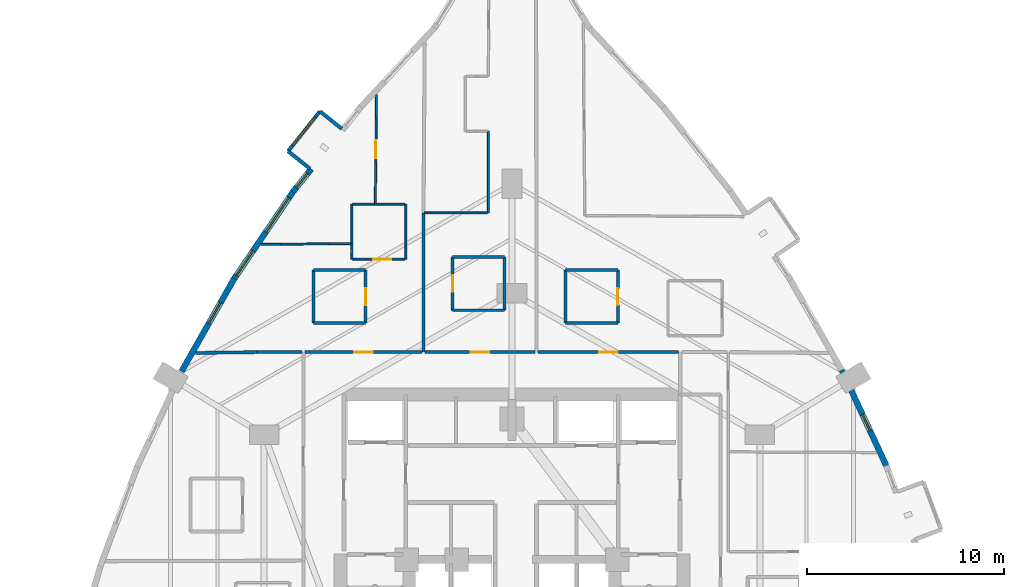
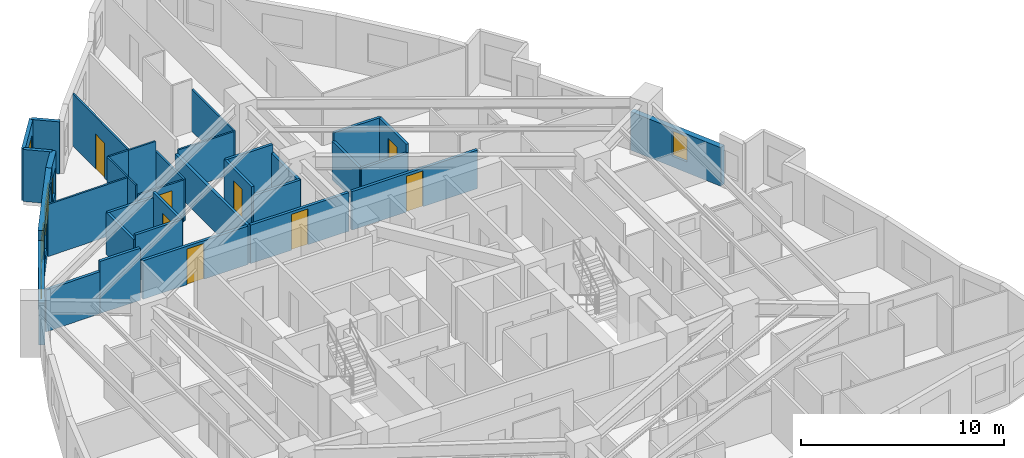
# One storey, part 12 of 15: 35 walls, 8 doors, 6 windows, 14 openings.
"""IFC4 building model written with IfcOpenShell, lengths in metres."""

from ifc_helpers import new_model, si_unit, direction, frame, frame_2d, origin, place, context, subcontext, project, spatial, rectangle, extrude, material, layer, layer_set, type_object, element, fill, save


model = new_model("IFC4")

# Units and contexts
model_context = context("Model", 3, precision=1e-05, world=origin(), true_north=direction((0.0, 1.0)))
body_context = subcontext(model_context, "Body", "Model", "MODEL_VIEW")
ifc_project = project(units=[si_unit("LENGTHUNIT", "METRE"), si_unit("AREAUNIT", "SQUARE_METRE"), si_unit("VOLUMEUNIT", "CUBIC_METRE"), si_unit("PLANEANGLEUNIT", "RADIAN"), si_unit("MASSUNIT", "GRAM", prefix="KILO")], contexts=[model_context])

# Site, building, storey
site_placement = place(None, origin())
site = spatial("IfcSite", under=ifc_project, at=site_placement, CompositionType="ELEMENT")
building_placement = place(site_placement, origin())
building = spatial("IfcBuilding", under=site, at=building_placement, Name="Miruveldt Soraemaru", CompositionType="ELEMENT")
storey_placement = place(building_placement, frame((0.0, 0.0, 39.39990234375)))
storey = spatial("IfcBuildingStorey", under=building, at=storey_placement, Name="L10", CompositionType="ELEMENT", Elevation=39.39990234375)

# Walls
ifc_material_1 = material(Name="White powder-coated aluminium EN AW-6060 T6", Category="aluminium")
ifc_layer_1 = layer(ifc_material_1, 0.18994140625, Name="White powder-coated aluminium EN AW-6060 T6", Category="aluminium")
ifc_layer_set_1 = layer_set([ifc_layer_1], Name="White powder-coated aluminium EN AW-6060 T6")
wall_type_1 = type_object("IfcWallType", Name="WALL-BAY-ALU190", PredefinedType="SOLIDWALL", material=ifc_layer_set_1)
for number, where, z_axis, x_axis, name in (
    (1, (35.350341796875, 65.957275390625, 0.0), (0.0, 0.0, 1.0), (-0.781737193764, 0.623608017817, 0.0), "L10 Bay Window Side Cheek 6L"),
    (2, (32.614990234375, 64.8134765625, 0.0), (0.0, 0.0, 1.0), (0.781737193764, -0.623608017817, 0.0), "L10 Bay Window Side Cheek 6R"),
):
    element("IfcWall", number, at=place(storey_placement, frame(where, z_axis=z_axis, x_axis=x_axis)), inside=storey, type_object=wall_type_1, Name=name, PredefinedType="SOLIDWALL", context=body_context, shape_type="SweptSolid", body=[
        extrude(rectangle(XDim=1.425048828125, YDim=0.18994140625, at=frame_2d((0.71240234375, 0.0))), origin(), (0.0, 0.0, 1.0), 3.125),
    ])

# Wall, opening, window
wall_1_placement = place(storey_placement, frame((34.236328125, 66.845947265625, 0.0), z_axis=(0.0, 0.0, 1.0), x_axis=(-0.623606546405, -0.781738367538, 0.0)))
wall_1 = element("IfcWall", 3, at=wall_1_placement, inside=storey, type_object=wall_type_1, Name="L10 Bay Window Front Frame 6", PredefinedType="SOLIDWALL", context=body_context, shape_type="SweptSolid", body=[
    extrude(rectangle(XDim=2.599853515625, YDim=0.18994140625, at=frame_2d((1.2998046875, 0.0))), origin(), (0.0, 0.0, 1.0), 3.125),
])
opening_1_placement = place(wall_1_placement, frame((0.35009765625, 0.0, 0.550048828125)))
opening_1 = element("IfcOpeningElement", 4, at=opening_1_placement, cuts=wall_1, Name="Opening WN-6", PredefinedType="OPENING", context=body_context, shape_type="SweptSolid", body=[
    extrude(rectangle(XDim=1.89990234375, YDim=1.85009765625, at=frame_2d((0.949951171875, 0.925048828125))), frame((0.0, 0.10498046875, 0.0), z_axis=(0.0, -1.0, 0.0), x_axis=(1.0, 0.0, 0.0)), (0.0, 0.0, 1.0), 0.2099609375),
])
ifc_material_2 = material(Name="Triple low-e insulated glazing", Category="glass")
window_type_1 = type_object("IfcWindowType", Name="WIN-BAYW-1900x1850", PartitioningType="SINGLE_PANEL", PredefinedType="WINDOW", material=ifc_material_2)
window_1_placement = place(opening_1_placement, origin())
window_1 = element("IfcWindow", 5, at=window_1_placement, inside=storey, type_object=window_type_1, Name="L10 Projecting Bay Window 6", OverallHeight=1.85009765625, OverallWidth=1.89990234375, PartitioningType="SINGLE_PANEL", PredefinedType="WINDOW", context=body_context, shape_type="SweptSolid", body=[
    extrude(rectangle(XDim=1.89990234375, YDim=1.85009765625, at=frame_2d((0.949951171875, 0.925048828125))), frame((0.0, 0.030029296875, 0.0), z_axis=(0.0, -1.0, 0.0), x_axis=(1.0, 0.0, 0.0)), (0.0, 0.0, 1.0), 0.06005859375),
])
fill(opening_1, window_1)

ifc_material_3 = material(Name="Precast concrete C45/55 (45 MPa)", Category="concrete")
ifc_layer_2 = layer(ifc_material_3, 0.300048828125, Name="Precast concrete C45/55 (45 MPa)", Category="concrete")
ifc_layer_set_2 = layer_set([ifc_layer_2], Name="Precast concrete C45/55 (45 MPa)")
wall_type_2 = type_object("IfcWallType", Name="WALL-EXT-PC300", PredefinedType="SOLIDWALL", material=ifc_layer_set_2)
wall_2_placement = place(storey_placement, frame((33.79052734375, 63.9140625, 0.0), z_axis=(0.0, 0.0, 1.0), x_axis=(-0.623458304624, -0.781856599637, 0.0)))
wall_2 = element("IfcWall", 6, at=wall_2_placement, inside=storey, type_object=wall_type_2, Name="L10 Precast Pier Wall 8B", PredefinedType="SOLIDWALL", context=body_context, shape_type="SweptSolid", body=[
    extrude(rectangle(XDim=1.493408203125, YDim=0.300048828125, at=frame_2d((0.74658203125, 0.0))), origin(), (0.0, 0.0, 1.0), 3.125),
])
opening_2_placement = place(wall_2_placement, frame((0.297119140625, 0.0, 0.780029296875)))
opening_2 = element("IfcOpeningElement", 7, at=opening_2_placement, cuts=wall_2, Name="Opening WN-7", PredefinedType="OPENING", context=body_context, shape_type="SweptSolid", body=[
    extrude(rectangle(XDim=0.89990234375, YDim=1.5, at=frame_2d((0.449951171875, 0.75))), frame((0.0, 0.16015625, 0.0), z_axis=(0.0, -1.0, 0.0), x_axis=(1.0, 0.0, 0.0)), (0.0, 0.0, 1.0), 0.320068359375),
])
window_type_2 = type_object("IfcWindowType", Name="WIN-PUNCH-900x1500", PartitioningType="SINGLE_PANEL", PredefinedType="WINDOW", material=ifc_material_2)
window_2_placement = place(opening_2_placement, origin())
window_2 = element("IfcWindow", 8, at=window_2_placement, inside=storey, type_object=window_type_2, Name="L10 Punched Triple-Glazed Window 08B.1", OverallHeight=1.5, OverallWidth=0.89990234375, PartitioningType="SINGLE_PANEL", PredefinedType="WINDOW", context=body_context, shape_type="SweptSolid", body=[
    extrude(rectangle(XDim=0.89990234375, YDim=1.5, at=frame_2d((0.449951171875, 0.75))), frame((0.0, 0.030029296875, 0.0), z_axis=(0.0, -1.0, 0.0), x_axis=(1.0, 0.0, 0.0)), (0.0, 0.0, 1.0), 0.06005859375),
])
fill(opening_2, window_2)

# Wall, openings, windows
wall_3_placement = place(storey_placement, frame((32.900634765625, 62.802734375, 0.0), z_axis=(0.0, 0.0, 1.0), x_axis=(-0.560794747374, -0.827954860676, 0.0)))
wall_3 = element("IfcWall", 9, at=wall_3_placement, inside=storey, type_object=wall_type_2, Name="L10 Precast Concrete Facade Wall 9", PredefinedType="SOLIDWALL", context=body_context, shape_type="SweptSolid", body=[
    extrude(rectangle(XDim=5.459228515625, YDim=0.300048828125, at=frame_2d((2.7294921875, 0.0))), origin(), (0.0, 0.0, 1.0), 3.125),
])
opening_3_placement = place(wall_3_placement, frame((0.4208984375, 0.0, 0.800048828125)))
opening_3 = element("IfcOpeningElement", 10, at=opening_3_placement, cuts=wall_3, Name="Opening WN-1", PredefinedType="OPENING", context=body_context, shape_type="SweptSolid", body=[
    extrude(rectangle(XDim=2.10009765625, YDim=1.699951171875, at=frame_2d((1.050048828125, 0.85009765625))), frame((0.0, 0.16015625, 0.0), z_axis=(0.0, -1.0, 0.0), x_axis=(1.0, 0.0, 0.0)), (0.0, 0.0, 1.0), 0.320068359375),
])
opening_4_placement = place(wall_3_placement, frame((3.69091796875, 0.0, 0.800048828125)))
opening_4 = element("IfcOpeningElement", 11, at=opening_4_placement, cuts=wall_3, Name="Opening WN-3", PredefinedType="OPENING", context=body_context, shape_type="SweptSolid", body=[
    extrude(rectangle(XDim=1.5, YDim=1.60009765625, at=frame_2d((0.75, 0.800048828125))), frame((0.0, 0.16015625, 0.0), z_axis=(0.0, -1.0, 0.0), x_axis=(1.0, 0.0, 0.0)), (0.0, 0.0, 1.0), 0.320068359375),
])
window_type_3 = type_object("IfcWindowType", Name="WIN-PUNCH-1500x1600", PartitioningType="SINGLE_PANEL", PredefinedType="WINDOW", material=ifc_material_2)
window_3_placement = place(opening_4_placement, origin())
window_3 = element("IfcWindow", 12, at=window_3_placement, inside=storey, type_object=window_type_3, Name="L10 Punched Triple-Glazed Window 09.2", OverallHeight=1.60009765625, OverallWidth=1.5, PartitioningType="SINGLE_PANEL", PredefinedType="WINDOW", context=body_context, shape_type="SweptSolid", body=[
    extrude(rectangle(XDim=1.5, YDim=1.60009765625, at=frame_2d((0.75, 0.800048828125))), frame((0.0, 0.030029296875, 0.0), z_axis=(0.0, -1.0, 0.0), x_axis=(1.0, 0.0, 0.0)), (0.0, 0.0, 1.0), 0.06005859375),
])
fill(opening_4, window_3)
window_type_4 = type_object("IfcWindowType", Name="WIN-PUNCH-2100x1700", PartitioningType="SINGLE_PANEL", PredefinedType="WINDOW", material=ifc_material_2)
window_4_placement = place(opening_3_placement, origin())
window_4 = element("IfcWindow", 13, at=window_4_placement, inside=storey, type_object=window_type_4, Name="L10 Punched Triple-Glazed Window 09.1", OverallHeight=1.699951171875, OverallWidth=2.10009765625, PartitioningType="SINGLE_PANEL", PredefinedType="WINDOW", context=body_context, shape_type="SweptSolid", body=[
    extrude(rectangle(XDim=2.10009765625, YDim=1.699951171875, at=frame_2d((1.050048828125, 0.85009765625))), frame((0.0, 0.030029296875, 0.0), z_axis=(0.0, -1.0, 0.0), x_axis=(1.0, 0.0, 0.0)), (0.0, 0.0, 1.0), 0.06005859375),
])
fill(opening_3, window_4)

# Wall, opening, window
wall_4_placement = place(storey_placement, frame((29.8759765625, 58.34228515625, 0.0), z_axis=(0.0, 0.0, 1.0), x_axis=(-0.493383808339, -0.869811713918, 0.0)))
wall_4 = element("IfcWall", 14, at=wall_4_placement, inside=storey, type_object=wall_type_2, Name="L10 Precast Concrete Facade Wall 10", PredefinedType="SOLIDWALL", context=body_context, shape_type="SweptSolid", body=[
    extrude(rectangle(XDim=5.42529296875, YDim=0.300048828125, at=frame_2d((2.712646484375, 0.0))), origin(), (0.0, 0.0, 1.0), 2.51318359375),
])
opening_5_placement = place(wall_4_placement, frame((1.407958984375, 0.0, 0.780029296875)))
opening_5 = element("IfcOpeningElement", 15, at=opening_5_placement, cuts=wall_4, Name="Opening WN-4", PredefinedType="OPENING", context=body_context, shape_type="SweptSolid", body=[
    extrude(rectangle(XDim=1.199951171875, YDim=1.550048828125, at=frame_2d((0.60009765625, 0.77490234375))), frame((0.0, 0.16015625, 0.0), z_axis=(0.0, -1.0, 0.0), x_axis=(1.0, 0.0, 0.0)), (0.0, 0.0, 1.0), 0.320068359375),
])
window_type_5 = type_object("IfcWindowType", Name="WIN-PUNCH-1200x1550", PartitioningType="SINGLE_PANEL", PredefinedType="WINDOW", material=ifc_material_2)
window_5_placement = place(opening_5_placement, origin())
window_5 = element("IfcWindow", 16, at=window_5_placement, inside=storey, type_object=window_type_5, Name="L10 Punched Triple-Glazed Window 10.1", OverallHeight=1.550048828125, OverallWidth=1.199951171875, PartitioningType="SINGLE_PANEL", PredefinedType="WINDOW", context=body_context, shape_type="SweptSolid", body=[
    extrude(rectangle(XDim=1.199951171875, YDim=1.550048828125, at=frame_2d((0.60009765625, 0.77490234375))), frame((0.0, 0.030029296875, 0.0), z_axis=(0.0, -1.0, 0.0), x_axis=(1.0, 0.0, 0.0)), (0.0, 0.0, 1.0), 0.06005859375),
])
fill(opening_5, window_5)

wall_5_placement = place(storey_placement, frame((63.059814453125, 48.767578125, 0.0), z_axis=(0.0, 0.0, 1.0), x_axis=(-0.4222916538, 0.906460015186, 0.0)))
wall_5 = element("IfcWall", 17, at=wall_5_placement, inside=storey, type_object=wall_type_2, Name="L10 Precast Concrete Facade Wall 38", PredefinedType="SOLIDWALL", context=body_context, shape_type="SweptSolid", body=[
    extrude(rectangle(XDim=5.42529296875, YDim=0.300048828125, at=frame_2d((2.712646484375, 0.0))), origin(), (0.0, 0.0, 1.0), 2.31298828125),
])
opening_6_placement = place(wall_5_placement, frame((2.0380859375, 0.0, 0.653076171875)))
opening_6 = element("IfcOpeningElement", 18, at=opening_6_placement, cuts=wall_5, Name="Opening WN-7", PredefinedType="OPENING", context=body_context, shape_type="SweptSolid", body=[
    extrude(rectangle(XDim=0.89990234375, YDim=1.5, at=frame_2d((0.449951171875, 0.75))), frame((0.0, 0.16015625, 0.0), z_axis=(0.0, -1.0, 0.0), x_axis=(1.0, 0.0, 0.0)), (0.0, 0.0, 1.0), 0.320068359375),
])
window_6_placement = place(opening_6_placement, origin())
window_6 = element("IfcWindow", 19, at=window_6_placement, inside=storey, type_object=window_type_2, Name="L10 Punched Triple-Glazed Window 38.1", OverallHeight=1.5, OverallWidth=0.89990234375, PartitioningType="SINGLE_PANEL", PredefinedType="WINDOW", context=body_context, shape_type="SweptSolid", body=[
    extrude(rectangle(XDim=0.89990234375, YDim=1.5, at=frame_2d((0.449951171875, 0.75))), frame((0.0, 0.030029296875, 0.0), z_axis=(0.0, -1.0, 0.0), x_axis=(1.0, 0.0, 0.0)), (0.0, 0.0, 1.0), 0.06005859375),
])
fill(opening_6, window_6)

# Wall, opening, door
ifc_material_4 = material(Name="Gypsum plasterboard lining", Category="gypsum")
ifc_layer_3 = layer(ifc_material_4, 0.10009765625, Name="Gypsum plasterboard lining", Category="gypsum")
ifc_layer_set_3 = layer_set([ifc_layer_3], Name="Gypsum plasterboard lining")
wall_type_3 = type_object("IfcWallType", Name="WALL-INT-P100", PredefinedType="PARTITIONING", material=ifc_layer_set_3)
wall_6_placement = place(storey_placement, frame((37.112060546875, 67.68798828125, 0.0), z_axis=(0.0, 0.0, 1.0), x_axis=(-0.011156294154, -0.999937766614, 0.0)))
wall_6 = element("IfcWall", 20, at=wall_6_placement, inside=storey, type_object=wall_type_3, Name="L10 Partition Wall 21", PredefinedType="PARTITIONING", context=body_context, shape_type="SweptSolid", body=[
    extrude(rectangle(XDim=5.558349609375, YDim=0.10009765625, at=frame_2d((2.779296875, 0.0))), origin(), (0.0, 0.0, 1.0), 3.125),
])
opening_7_placement = place(wall_6_placement, frame((2.319091796875, 0.0, 0.0)))
opening_7 = element("IfcOpeningElement", 21, at=opening_7_placement, cuts=wall_6, Name="Opening D3A", PredefinedType="OPENING", context=body_context, shape_type="SweptSolid", body=[
    extrude(rectangle(XDim=0.919921875, YDim=2.10009765625, at=frame_2d((0.4599609375, 1.050048828125))), frame((0.0, 0.06005859375, 0.0), z_axis=(0.0, -1.0, 0.0), x_axis=(1.0, 0.0, 0.0)), (0.0, 0.0, 1.0), 0.1201171875),
])
ifc_material_5 = material(Name="Anodised aluminium EN AW-6063 T6", Category="aluminium")
door_type_1 = type_object("IfcDoorType", Name="DOOR-INT-920", OperationType="NOTDEFINED", PredefinedType="DOOR", material=ifc_material_5)
door_1_placement = place(opening_7_placement, origin())
door_1 = element("IfcDoor", 22, at=door_1_placement, inside=storey, type_object=door_type_1, Name="L10 Unit 1001 BD1 Door", OperationType="SINGLE_SWING_LEFT", OverallHeight=2.10009765625, OverallWidth=0.919921875, PredefinedType="DOOR", context=body_context, shape_type="SweptSolid", body=[
    extrude(rectangle(XDim=0.919921875, YDim=2.10009765625, at=frame_2d((0.4599609375, 1.050048828125))), frame((0.0, 0.02490234375, 0.0), z_axis=(0.0, -1.0, 0.0), x_axis=(1.0, 0.0, 0.0)), (0.0, 0.0, 1.0), 0.050048828125),
])
fill(opening_7, door_1)

wall_7_placement = place(storey_placement, frame((35.905029296875, 59.330078125, 0.0), z_axis=(0.0, 0.0, 1.0), x_axis=(1.0, 0.0, 0.0)))
wall_7 = element("IfcWall", 23, at=wall_7_placement, inside=storey, type_object=wall_type_3, Name="L10 Partition Wall 20", PredefinedType="PARTITIONING", context=body_context, shape_type="SweptSolid", body=[
    extrude(rectangle(XDim=2.64990234375, YDim=0.10009765625, at=frame_2d((1.324951171875, 0.0))), origin(), (0.0, 0.0, 1.0), 2.51318359375),
])
opening_8_placement = place(wall_7_placement, frame((1.044921875, 0.0, 0.0)))
opening_8 = element("IfcOpeningElement", 24, at=opening_8_placement, cuts=wall_7, Name="Opening D3A", PredefinedType="OPENING", context=body_context, shape_type="SweptSolid", body=[
    extrude(rectangle(XDim=0.919921875, YDim=2.10009765625, at=frame_2d((0.4599609375, 1.050048828125))), frame((0.0, 0.06005859375, 0.0), z_axis=(0.0, -1.0, 0.0), x_axis=(1.0, 0.0, 0.0)), (0.0, 0.0, 1.0), 0.1201171875),
])
door_2_placement = place(opening_8_placement, origin())
door_2 = element("IfcDoor", 25, at=door_2_placement, inside=storey, type_object=door_type_1, Name="L10 Unit 1001 KIT Door", OperationType="SINGLE_SWING_RIGHT", OverallHeight=2.10009765625, OverallWidth=0.919921875, PredefinedType="DOOR", context=body_context, shape_type="SweptSolid", body=[
    extrude(rectangle(XDim=0.919921875, YDim=2.10009765625, at=frame_2d((0.4599609375, 1.050048828125))), frame((0.0, 0.02490234375, 0.0), z_axis=(0.0, -1.0, 0.0), x_axis=(1.0, 0.0, 0.0)), (0.0, 0.0, 1.0), 0.050048828125),
])
fill(opening_8, door_2)

# Walls
wall_8_placement = place(storey_placement, frame((35.804931640625, 60.1220703125, 0.0), z_axis=(0.0, 0.0, 1.0), x_axis=(-0.999946452569, -0.010348526213, 0.0)))
element("IfcWall", 26, at=wall_8_placement, inside=storey, type_object=wall_type_3, Name="L10 Partition Wall 22", PredefinedType="PARTITIONING", context=body_context, shape_type="SweptSolid", body=[
    extrude(rectangle(XDim=4.55322265625, YDim=0.10009765625, at=frame_2d((2.276611328125, 0.0))), origin(), (0.0, 0.0, 1.0), 3.125),
])
wall_9_placement = place(storey_placement, frame((42.800048828125, 65.830078125, 0.0), z_axis=(0.0, 0.0, 1.0), x_axis=(0.0, -1.0, 0.0)))
element("IfcWall", 27, at=wall_9_placement, inside=storey, type_object=wall_type_3, Name="L10 Partition Wall 37", PredefinedType="PARTITIONING", context=body_context, shape_type="SweptSolid", body=[
    extrude(rectangle(XDim=4.14599609375, YDim=0.10009765625, at=frame_2d((2.072998046875, 0.0))), origin(), (0.0, 0.0, 1.0), 2.51318359375),
])
wall_10_placement = place(storey_placement, frame((42.75, 61.68408203125, 0.0), z_axis=(0.0, 0.0, 1.0), x_axis=(-1.0, 0.0, 0.0)))
element("IfcWall", 28, at=wall_10_placement, inside=storey, type_object=wall_type_3, Name="L10 Partition Wall 38", PredefinedType="PARTITIONING", context=body_context, shape_type="SweptSolid", body=[
    extrude(rectangle(XDim=3.199951171875, YDim=0.10009765625, at=frame_2d((1.60009765625, 0.0))), origin(), (0.0, 0.0, 1.0), 2.51318359375),
])
wall_11_placement = place(storey_placement, frame((38.60498046875, 59.330078125, 0.0), z_axis=(0.0, 0.0, 1.0), x_axis=(0.0, 1.0, 0.0)))
element("IfcWall", 29, at=wall_11_placement, inside=storey, type_object=wall_type_3, Name="L10 Partition Wall 17", PredefinedType="PARTITIONING", context=body_context, shape_type="SweptSolid", body=[
    extrude(rectangle(XDim=2.7998046875, YDim=0.10009765625, at=frame_2d((1.39990234375, 0.0))), origin(), (0.0, 0.0, 1.0), 2.51318359375),
])
wall_12_placement = place(storey_placement, frame((35.85498046875, 62.1298828125, 0.0), z_axis=(0.0, 0.0, 1.0), x_axis=(0.0, -1.0, 0.0)))
element("IfcWall", 30, at=wall_12_placement, inside=storey, type_object=wall_type_3, Name="L10 Partition Wall 28", PredefinedType="PARTITIONING", context=body_context, shape_type="SweptSolid", body=[
    extrude(rectangle(XDim=2.0068359375, YDim=0.10009765625, at=frame_2d((1.00341796875, 0.0))), origin(), (0.0, 0.0, 1.0), 3.125),
])
wall_13_placement = place(storey_placement, frame((38.554931640625, 62.1298828125, 0.0), z_axis=(0.0, 0.0, 1.0), x_axis=(-1.0, 0.0, 0.0)))
element("IfcWall", 31, at=wall_13_placement, inside=storey, type_object=wall_type_3, Name="L10 Partition Wall 18", PredefinedType="PARTITIONING", context=body_context, shape_type="SweptSolid", body=[
    extrude(rectangle(XDim=1.544921875, YDim=0.10009765625, at=frame_2d((0.7724609375, 0.0))), origin(), (0.0, 0.0, 1.0), 3.125),
])
wall_14_placement = place(storey_placement, frame((37.0, 62.1298828125, 0.0), z_axis=(0.0, 0.0, 1.0), x_axis=(-1.0, 0.0, 0.0)))
element("IfcWall", 32, at=wall_14_placement, inside=storey, type_object=wall_type_3, Name="L10 Partition Wall 27", PredefinedType="PARTITIONING", context=body_context, shape_type="SweptSolid", body=[
    extrude(rectangle(XDim=1.094970703125, YDim=0.10009765625, at=frame_2d((0.54736328125, 0.0))), origin(), (0.0, 0.0, 1.0), 3.125),
])
wall_15_placement = place(storey_placement, frame((35.85498046875, 60.123046875, 0.0), z_axis=(0.0, 0.0, 1.0), x_axis=(0.0, -1.0, 0.0)))
element("IfcWall", 33, at=wall_15_placement, inside=storey, type_object=wall_type_3, Name="L10 Partition Wall 19", PredefinedType="PARTITIONING", context=body_context, shape_type="SweptSolid", body=[
    extrude(rectangle(XDim=0.79296875, YDim=0.10009765625, at=frame_2d((0.396484375, 0.0))), origin(), (0.0, 0.0, 1.0), 3.125),
])

# Wall, opening, door
ifc_layer_4 = layer(ifc_material_4, 0.14990234375, Name="Gypsum plasterboard lining", Category="gypsum")
ifc_layer_set_4 = layer_set([ifc_layer_4], Name="Gypsum plasterboard lining")
wall_type_4 = type_object("IfcWallType", Name="WALL-INT-PLUMB", PredefinedType="PLUMBINGWALL", material=ifc_layer_set_4)
wall_16_placement = place(storey_placement, frame((36.554931640625, 56.080078125, 0.0), z_axis=(0.0, 0.0, 1.0), x_axis=(0.0, 1.0, 0.0)))
wall_16 = element("IfcWall", 34, at=wall_16_placement, inside=storey, type_object=wall_type_4, Name="L10 Partition Wall 13", PredefinedType="PLUMBINGWALL", context=body_context, shape_type="SweptSolid", body=[
    extrude(rectangle(XDim=2.699951171875, YDim=0.14990234375, at=frame_2d((1.35009765625, 0.0))), origin(), (0.0, 0.0, 1.0), 2.81298828125),
])
opening_9_placement = place(wall_16_placement, frame((0.909912109375, 0.0, 0.0)))
opening_9 = element("IfcOpeningElement", 35, at=opening_9_placement, cuts=wall_16, Name="Opening FD3", PredefinedType="OPENING", context=body_context, shape_type="SweptSolid", body=[
    extrude(rectangle(XDim=0.85009765625, YDim=2.10009765625, at=frame_2d((0.425048828125, 1.050048828125))), frame((0.0, 0.0849609375, 0.0), z_axis=(0.0, -1.0, 0.0), x_axis=(1.0, 0.0, 0.0)), (0.0, 0.0, 1.0), 0.169921875),
])
door_type_2 = type_object("IfcDoorType", Name="DOOR-FD3-850", OperationType="NOTDEFINED", PredefinedType="DOOR", material=ifc_material_5)
door_3_placement = place(opening_9_placement, origin())
door_3 = element("IfcDoor", 36, at=door_3_placement, inside=storey, type_object=door_type_2, Name="L10 Unit 1001 BTH Door", OperationType="SINGLE_SWING_LEFT", OverallHeight=2.10009765625, OverallWidth=0.85009765625, PredefinedType="DOOR", context=body_context, shape_type="SweptSolid", body=[
    extrude(rectangle(XDim=0.85009765625, YDim=2.10009765625, at=frame_2d((0.425048828125, 1.050048828125))), frame((0.0, 0.02490234375, 0.0), z_axis=(0.0, -1.0, 0.0), x_axis=(1.0, 0.0, 0.0)), (0.0, 0.0, 1.0), 0.050048828125),
])
fill(opening_9, door_3)

wall_17_placement = place(storey_placement, frame((40.97998046875, 59.429931640625, 0.0), z_axis=(0.0, 0.0, 1.0), x_axis=(0.0, -1.0, 0.0)))
wall_17 = element("IfcWall", 37, at=wall_17_placement, inside=storey, type_object=wall_type_4, Name="L10 Partition Wall 31", PredefinedType="PLUMBINGWALL", context=body_context, shape_type="SweptSolid", body=[
    extrude(rectangle(XDim=2.699951171875, YDim=0.14990234375, at=frame_2d((1.35009765625, 0.0))), origin(), (0.0, 0.0, 1.0), 2.81298828125),
])
opening_10_placement = place(wall_17_placement, frame((0.909912109375, 0.0, 0.0)))
opening_10 = element("IfcOpeningElement", 38, at=opening_10_placement, cuts=wall_17, Name="Opening FD3", PredefinedType="OPENING", context=body_context, shape_type="SweptSolid", body=[
    extrude(rectangle(XDim=0.85009765625, YDim=2.10009765625, at=frame_2d((0.425048828125, 1.050048828125))), frame((0.0, 0.0849609375, 0.0), z_axis=(0.0, -1.0, 0.0), x_axis=(1.0, 0.0, 0.0)), (0.0, 0.0, 1.0), 0.169921875),
])
door_4_placement = place(opening_10_placement, origin())
door_4 = element("IfcDoor", 39, at=door_4_placement, inside=storey, type_object=door_type_2, Name="L10 Unit 1002 BTH Door", OperationType="SINGLE_SWING_LEFT", OverallHeight=2.10009765625, OverallWidth=0.85009765625, PredefinedType="DOOR", context=body_context, shape_type="SweptSolid", body=[
    extrude(rectangle(XDim=0.85009765625, YDim=2.10009765625, at=frame_2d((0.425048828125, 1.050048828125))), frame((0.0, 0.02490234375, 0.0), z_axis=(0.0, -1.0, 0.0), x_axis=(1.0, 0.0, 0.0)), (0.0, 0.0, 1.0), 0.050048828125),
])
fill(opening_10, door_4)

wall_18_placement = place(storey_placement, frame((49.3798828125, 56.080078125, 0.0), z_axis=(0.0, 0.0, 1.0), x_axis=(0.0, 1.0, 0.0)))
wall_18 = element("IfcWall", 40, at=wall_18_placement, inside=storey, type_object=wall_type_4, Name="L10 Partition Wall 40", PredefinedType="PLUMBINGWALL", context=body_context, shape_type="SweptSolid", body=[
    extrude(rectangle(XDim=2.699951171875, YDim=0.14990234375, at=frame_2d((1.35009765625, 0.0))), origin(), (0.0, 0.0, 1.0), 2.81298828125),
])
opening_11_placement = place(wall_18_placement, frame((0.909912109375, 0.0, 0.0)))
opening_11 = element("IfcOpeningElement", 41, at=opening_11_placement, cuts=wall_18, Name="Opening FD3", PredefinedType="OPENING", context=body_context, shape_type="SweptSolid", body=[
    extrude(rectangle(XDim=0.85009765625, YDim=2.10009765625, at=frame_2d((0.425048828125, 1.050048828125))), frame((0.0, 0.0849609375, 0.0), z_axis=(0.0, -1.0, 0.0), x_axis=(1.0, 0.0, 0.0)), (0.0, 0.0, 1.0), 0.169921875),
])
door_5_placement = place(opening_11_placement, origin())
door_5 = element("IfcDoor", 42, at=door_5_placement, inside=storey, type_object=door_type_2, Name="L10 Unit 1003 BTH Door", OperationType="SINGLE_SWING_RIGHT", OverallHeight=2.10009765625, OverallWidth=0.85009765625, PredefinedType="DOOR", context=body_context, shape_type="SweptSolid", body=[
    extrude(rectangle(XDim=0.85009765625, YDim=2.10009765625, at=frame_2d((0.425048828125, 1.050048828125))), frame((0.0, 0.02490234375, 0.0), z_axis=(0.0, -1.0, 0.0), x_axis=(1.0, 0.0, 0.0)), (0.0, 0.0, 1.0), 0.050048828125),
])
fill(opening_11, door_5)

# Walls
wall_19_placement = place(storey_placement, frame((33.905029296875, 58.780029296875, 0.0), z_axis=(0.0, 0.0, 1.0), x_axis=(0.0, -1.0, 0.0)))
element("IfcWall", 43, at=wall_19_placement, inside=storey, type_object=wall_type_4, Name="L10 Partition Wall 15", PredefinedType="PLUMBINGWALL", context=body_context, shape_type="SweptSolid", body=[
    extrude(rectangle(XDim=2.699951171875, YDim=0.14990234375, at=frame_2d((1.35009765625, 0.0))), origin(), (0.0, 0.0, 1.0), 2.51318359375),
])
for number, where, z_axis, x_axis, name in (
    (44, (43.6298828125, 56.72998046875, 0.0), (0.0, 0.0, 1.0), (0.0, 1.0, 0.0), "L10 Partition Wall 29"),
    (45, (46.72998046875, 58.780029296875, 0.0), (0.0, 0.0, 1.0), (0.0, -1.0, 0.0), "L10 Partition Wall 42"),
):
    element("IfcWall", number, at=place(storey_placement, frame(where, z_axis=z_axis, x_axis=x_axis)), inside=storey, type_object=wall_type_4, Name=name, PredefinedType="PLUMBINGWALL", context=body_context, shape_type="SweptSolid", body=[
        extrude(rectangle(XDim=2.699951171875, YDim=0.14990234375, at=frame_2d((1.35009765625, 0.0))), origin(), (0.0, 0.0, 1.0), 2.31298828125),
    ])
wall_20_placement = place(storey_placement, frame((43.6298828125, 59.429931640625, 0.0), z_axis=(0.0, 0.0, 1.0), x_axis=(-1.0, 0.0, 0.0)))
element("IfcWall", 46, at=wall_20_placement, inside=storey, type_object=wall_type_4, Name="L10 Partition Wall 30", PredefinedType="PLUMBINGWALL", context=body_context, shape_type="SweptSolid", body=[
    extrude(rectangle(XDim=2.64990234375, YDim=0.14990234375, at=frame_2d((1.324951171875, 0.0))), origin(), (0.0, 0.0, 1.0), 2.81298828125),
])
wall_21_placement = place(storey_placement, frame((40.97998046875, 56.72998046875, 0.0), z_axis=(0.0, 0.0, 1.0), x_axis=(1.0, 0.0, 0.0)))
element("IfcWall", 47, at=wall_21_placement, inside=storey, type_object=wall_type_4, Name="L10 Partition Wall 32", PredefinedType="PLUMBINGWALL", context=body_context, shape_type="SweptSolid", body=[
    extrude(rectangle(XDim=2.64990234375, YDim=0.14990234375, at=frame_2d((1.324951171875, 0.0))), origin(), (0.0, 0.0, 1.0), 2.31298828125),
])
wall_22_placement = place(storey_placement, frame((49.3798828125, 58.780029296875, 0.0), z_axis=(0.0, 0.0, 1.0), x_axis=(-1.0, 0.0, 0.0)))
element("IfcWall", 48, at=wall_22_placement, inside=storey, type_object=wall_type_4, Name="L10 Partition Wall 41", PredefinedType="PLUMBINGWALL", context=body_context, shape_type="SweptSolid", body=[
    extrude(rectangle(XDim=2.64990234375, YDim=0.14990234375, at=frame_2d((1.324951171875, 0.0))), origin(), (0.0, 0.0, 1.0), 2.81298828125),
])
wall_23_placement = place(storey_placement, frame((46.72998046875, 56.080078125, 0.0), z_axis=(0.0, 0.0, 1.0), x_axis=(1.0, 0.0, 0.0)))
element("IfcWall", 49, at=wall_23_placement, inside=storey, type_object=wall_type_4, Name="L10 Partition Wall 43", PredefinedType="PLUMBINGWALL", context=body_context, shape_type="SweptSolid", body=[
    extrude(rectangle(XDim=2.64990234375, YDim=0.14990234375, at=frame_2d((1.324951171875, 0.0))), origin(), (0.0, 0.0, 1.0), 2.31298828125),
])
wall_24_placement = place(storey_placement, frame((36.554931640625, 58.780029296875, 0.0), z_axis=(0.0, 0.0, 1.0), x_axis=(-1.0, 0.0, 0.0)))
element("IfcWall", 50, at=wall_24_placement, inside=storey, type_object=wall_type_4, Name="L10 Partition Wall 14", PredefinedType="PLUMBINGWALL", context=body_context, shape_type="SweptSolid", body=[
    extrude(rectangle(XDim=2.64990234375, YDim=0.14990234375, at=frame_2d((1.324951171875, 0.0))), origin(), (0.0, 0.0, 1.0), 2.51318359375),
])
wall_25_placement = place(storey_placement, frame((33.905029296875, 56.080078125, 0.0), z_axis=(0.0, 0.0, 1.0), x_axis=(1.0, 0.0, 0.0)))
element("IfcWall", 51, at=wall_25_placement, inside=storey, type_object=wall_type_4, Name="L10 Partition Wall 16", PredefinedType="PLUMBINGWALL", context=body_context, shape_type="SweptSolid", body=[
    extrude(rectangle(XDim=2.64990234375, YDim=0.14990234375, at=frame_2d((1.324951171875, 0.0))), origin(), (0.0, 0.0, 1.0), 2.81298828125),
])

# Wall, opening, door
ifc_material_6 = material(Name="Concrete C40/50 (40 MPa)", Category="concrete")
ifc_layer_5 = layer(ifc_material_6, 0.159912109375, Name="Concrete C40/50 (40 MPa)", Category="concrete")
ifc_layer_set_5 = layer_set([ifc_layer_5], Name="Concrete C40/50 (40 MPa)")
wall_type_5 = type_object("IfcWallType", Name="WALL-INT-RC160", PredefinedType="SOLIDWALL", material=ifc_layer_set_5)
wall_26_placement = place(storey_placement, frame((52.469970703125, 54.60009765625, 0.0), z_axis=(0.0, 0.0, 1.0), x_axis=(-1.0, 0.0, 0.0)))
wall_26 = element("IfcWall", 52, at=wall_26_placement, inside=storey, type_object=wall_type_5, Name="L10 Partition Wall 3", PredefinedType="SOLIDWALL", context=body_context, shape_type="SweptSolid", body=[
    extrude(rectangle(XDim=7.136962890625, YDim=0.159912109375, at=frame_2d((3.568359375, 0.0))), origin(), (0.0, 0.0, 1.0), 2.31298828125),
])
opening_12_placement = place(wall_26_placement, frame((3.093994140625, 0.0, 0.0)))
opening_12 = element("IfcOpeningElement", 53, at=opening_12_placement, cuts=wall_26, Name="Opening FD2", PredefinedType="OPENING", context=body_context, shape_type="SweptSolid", body=[
    extrude(rectangle(XDim=0.949951171875, YDim=2.14990234375, at=frame_2d((0.47509765625, 1.074951171875))), frame((0.0, 0.08984375, 0.0), z_axis=(0.0, -1.0, 0.0), x_axis=(1.0, 0.0, 0.0)), (0.0, 0.0, 1.0), 0.179931640625),
])
door_type_3 = type_object("IfcDoorType", Name="DOOR-FD2-950", OperationType="NOTDEFINED", PredefinedType="DOOR", material=ifc_material_5)
door_6_placement = place(opening_12_placement, origin())
door_6 = element("IfcDoor", 54, at=door_6_placement, inside=storey, type_object=door_type_3, Name="L10 Unit 1003 Entrance Fire Door", OperationType="SINGLE_SWING_LEFT", OverallHeight=2.14990234375, OverallWidth=0.949951171875, PredefinedType="DOOR", context=body_context, shape_type="SweptSolid", body=[
    extrude(rectangle(XDim=0.949951171875, YDim=2.14990234375, at=frame_2d((0.47509765625, 1.074951171875))), frame((0.0, 0.02490234375, 0.0), z_axis=(0.0, -1.0, 0.0), x_axis=(1.0, 0.0, 0.0)), (0.0, 0.0, 1.0), 0.050048828125),
])
fill(opening_12, door_6)

wall_27_placement = place(storey_placement, frame((39.419921875, 54.60009765625, 0.0), z_axis=(0.0, 0.0, 1.0), x_axis=(-1.0, 0.0, 0.0)))
wall_27 = element("IfcWall", 55, at=wall_27_placement, inside=storey, type_object=wall_type_5, Name="L10 Partition Wall 1", PredefinedType="SOLIDWALL", context=body_context, shape_type="SweptSolid", body=[
    extrude(rectangle(XDim=5.93994140625, YDim=0.159912109375, at=frame_2d((2.969970703125, 0.0))), origin(), (0.0, 0.0, 1.0), 2.31298828125),
])
opening_13_placement = place(wall_27_placement, frame((2.4951171875, 0.0, 0.0)))
opening_13 = element("IfcOpeningElement", 56, at=opening_13_placement, cuts=wall_27, Name="Opening FD2", PredefinedType="OPENING", context=body_context, shape_type="SweptSolid", body=[
    extrude(rectangle(XDim=0.949951171875, YDim=2.14990234375, at=frame_2d((0.47509765625, 1.074951171875))), frame((0.0, 0.08984375, 0.0), z_axis=(0.0, -1.0, 0.0), x_axis=(1.0, 0.0, 0.0)), (0.0, 0.0, 1.0), 0.179931640625),
])
door_7_placement = place(opening_13_placement, origin())
door_7 = element("IfcDoor", 57, at=door_7_placement, inside=storey, type_object=door_type_3, Name="L10 Unit 1001 Entrance Fire Door", OperationType="SINGLE_SWING_RIGHT", OverallHeight=2.14990234375, OverallWidth=0.949951171875, PredefinedType="DOOR", context=body_context, shape_type="SweptSolid", body=[
    extrude(rectangle(XDim=0.949951171875, YDim=2.14990234375, at=frame_2d((0.47509765625, 1.074951171875))), frame((0.0, 0.02490234375, 0.0), z_axis=(0.0, -1.0, 0.0), x_axis=(1.0, 0.0, 0.0)), (0.0, 0.0, 1.0), 0.050048828125),
])
fill(opening_13, door_7)

wall_28_placement = place(storey_placement, frame((45.1669921875, 54.60009765625, 0.0), z_axis=(0.0, 0.0, 1.0), x_axis=(-1.0, 0.0, 0.0)))
wall_28 = element("IfcWall", 58, at=wall_28_placement, inside=storey, type_object=wall_type_5, Name="L10 Partition Wall 2", PredefinedType="SOLIDWALL", context=body_context, shape_type="SweptSolid", body=[
    extrude(rectangle(XDim=5.583984375, YDim=0.159912109375, at=frame_2d((2.7919921875, 0.0))), origin(), (0.0, 0.0, 1.0), 2.31298828125),
])
opening_14_placement = place(wall_28_placement, frame((2.31689453125, 0.0, 0.0)))
opening_14 = element("IfcOpeningElement", 59, at=opening_14_placement, cuts=wall_28, Name="Opening FD2", PredefinedType="OPENING", context=body_context, shape_type="SweptSolid", body=[
    extrude(rectangle(XDim=0.949951171875, YDim=2.14990234375, at=frame_2d((0.47509765625, 1.074951171875))), frame((0.0, 0.08984375, 0.0), z_axis=(0.0, -1.0, 0.0), x_axis=(1.0, 0.0, 0.0)), (0.0, 0.0, 1.0), 0.179931640625),
])
door_8_placement = place(opening_14_placement, origin())
door_8 = element("IfcDoor", 60, at=door_8_placement, inside=storey, type_object=door_type_3, Name="L10 Unit 1002 Entrance Fire Door", OperationType="SINGLE_SWING_RIGHT", OverallHeight=2.14990234375, OverallWidth=0.949951171875, PredefinedType="DOOR", context=body_context, shape_type="SweptSolid", body=[
    extrude(rectangle(XDim=0.949951171875, YDim=2.14990234375, at=frame_2d((0.47509765625, 1.074951171875))), frame((0.0, 0.02490234375, 0.0), z_axis=(0.0, -1.0, 0.0), x_axis=(1.0, 0.0, 0.0)), (0.0, 0.0, 1.0), 0.050048828125),
])
fill(opening_14, door_8)

# Walls
wall_29_placement = place(storey_placement, frame((39.5, 54.60302734375, 0.0), z_axis=(0.0, 0.0, 1.0), x_axis=(0.0, 1.0, 0.0)))
element("IfcWall", 61, at=wall_29_placement, inside=storey, type_object=wall_type_5, Name="L10 Partition Wall 23", PredefinedType="SOLIDWALL", context=body_context, shape_type="SweptSolid", body=[
    extrude(rectangle(XDim=7.077880859375, YDim=0.159912109375, at=frame_2d((3.5390625, 0.0))), origin(), (0.0, 0.0, 1.0), 2.31298828125),
])
wall_30_placement = place(storey_placement, frame((27.919921875, 54.55908203125, 0.0), z_axis=(0.0, 0.0, 1.0), x_axis=(0.999913324007, 0.013166034833, 0.0)))
element("IfcWall", 62, at=wall_30_placement, inside=storey, type_object=wall_type_5, Name="L10 Partition Wall 25", PredefinedType="SOLIDWALL", context=body_context, shape_type="SweptSolid", body=[
    extrude(rectangle(XDim=3.115234375, YDim=0.159912109375, at=frame_2d((1.5576171875, 0.0))), origin(), (0.0, 0.0, 1.0), 2.51318359375),
])
wall_31_placement = place(storey_placement, frame((31.034912109375, 54.60009765625, 0.0), z_axis=(0.0, 0.0, 1.0), x_axis=(1.0, 0.0, 0.0)))
element("IfcWall", 63, at=wall_31_placement, inside=storey, type_object=wall_type_5, Name="L10 Partition Wall 26", PredefinedType="SOLIDWALL", context=body_context, shape_type="SweptSolid", body=[
    extrude(rectangle(XDim=2.280029296875, YDim=0.159912109375, at=frame_2d((1.14013671875, 0.0))), origin(), (0.0, 0.0, 1.0), 3.125),
])

save(model, "model.ifc")
